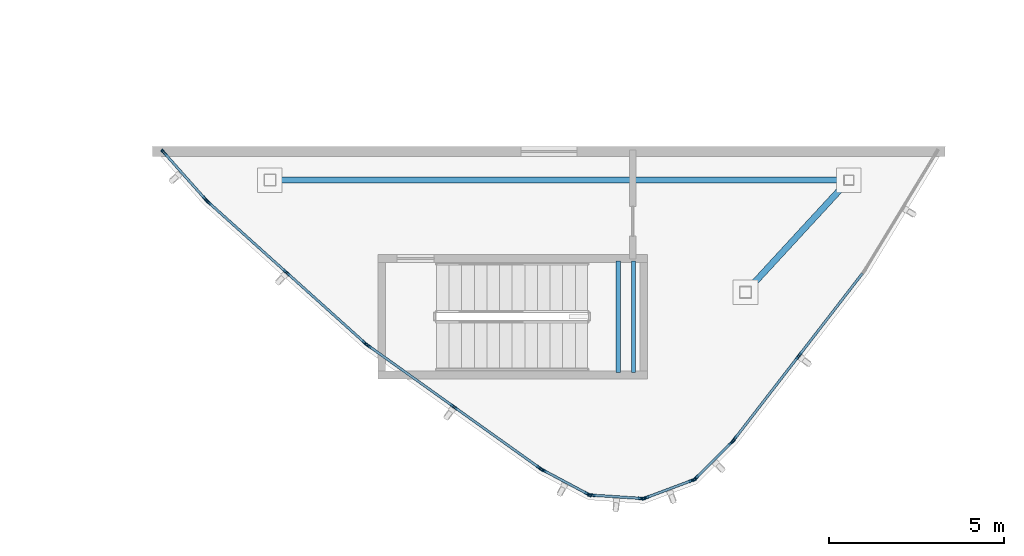
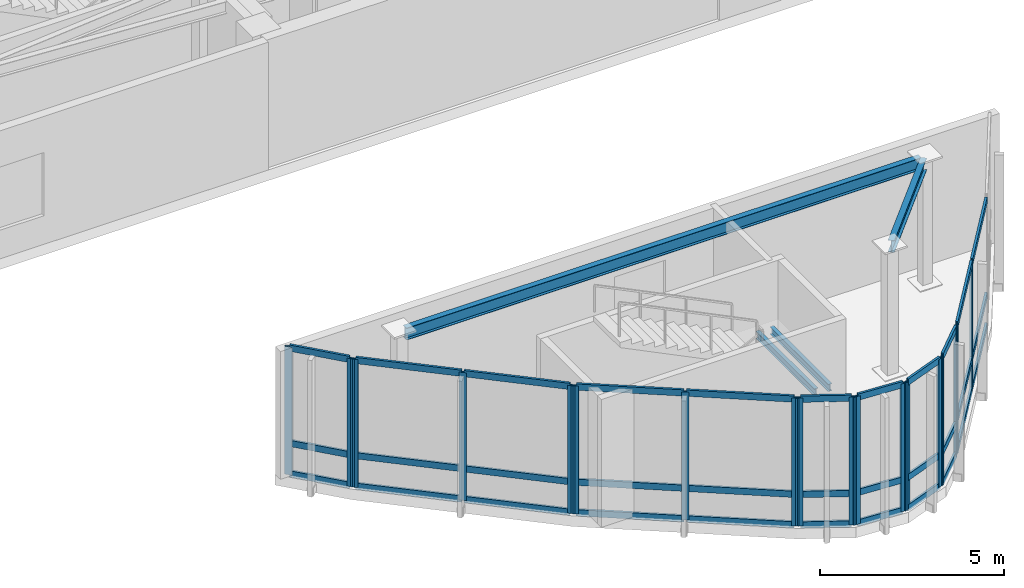
# One storey, part 2 of 16: 51 members, 4 beams, 8 elements without a shape of their own.
"""IFC4 building model written with IfcOpenShell, lengths in metres."""

from ifc_helpers import new_model, si_unit, direction, frame, origin, origin_2d, place, context, subcontext, project, spatial, hollow_rectangle, i_section, extrude, source, transform, mapped, material, layer, layer_set, material_profile, profile_set, type_object, type_shapes, element, aggregate, save


model = new_model("IFC4")

# Units and contexts
model_context = context("Model", 3, precision=1e-05, world=origin(), true_north=direction((0.0, 1.0)))
body_context = subcontext(model_context, "Body", "Model", "MODEL_VIEW")
ifc_project = project(units=[si_unit("LENGTHUNIT", "METRE"), si_unit("AREAUNIT", "SQUARE_METRE"), si_unit("VOLUMEUNIT", "CUBIC_METRE"), si_unit("PLANEANGLEUNIT", "RADIAN"), si_unit("MASSUNIT", "GRAM", prefix="KILO")], contexts=[model_context])

# Site, building, storey
site_placement = place(None, origin())
site = spatial("IfcSite", under=ifc_project, at=site_placement, CompositionType="ELEMENT")
building_placement = place(site_placement, origin())
building = spatial("IfcBuilding", under=site, at=building_placement, Name="Tavelor Broadcast Tower", CompositionType="ELEMENT")
storey_placement = place(building_placement, frame((0.0, 0.0, 336.699951171875)))
storey = spatial("IfcBuildingStorey", under=building, at=storey_placement, Name="L80", CompositionType="ELEMENT", Elevation=336.699951171875)

# Beams
ifc_material_1 = material(Name="Steel S355", Category="steel")
ifc_material_profile_1 = material_profile(ifc_material_1, i_section(OverallWidth=0.179931640625, OverallDepth=0.39990234375, WebThickness=0.008544921875, FlangeThickness=0.013427734375, at=origin_2d()), Name="IPE 400")
ifc_profile_set_1 = profile_set([ifc_material_profile_1], Name="Steel S355")
beam_type_1 = type_object("IfcBeamType", Name="Crown Ring Spandrel Beam IPE400", PredefinedType="SPANDREL", material=ifc_profile_set_1)
beam_1_placement = place(storey_placement, frame((52.887939453125, 27.579345703125, 4.050048828125), z_axis=(0.677758220929, 0.73528483866, 0.0), x_axis=(-0.73528483866, 0.677758220929, 0.0)))
element("IfcBeam", 1, at=beam_1_placement, inside=storey, type_object=beam_type_1, Name="L80 Crown Peak B Ring Spandrel 1", PredefinedType="SPANDREL", context=body_context, shape_type="SweptSolid", body=[
    extrude(i_section(OverallWidth=0.179931640625, OverallDepth=0.39990234375, WebThickness=0.008544921875, FlangeThickness=0.013427734375, at=origin_2d()), origin(), (0.0, 0.0, 1.0), 4.023193359375),
])
beam_2_placement = place(storey_placement, frame((55.5654296875, 30.64990234375, 4.050048828125), z_axis=(-1.0, 0.0, 0.0), x_axis=(0.0, -1.0, 0.0)))
element("IfcBeam", 2, at=beam_2_placement, inside=storey, type_object=beam_type_1, Name="L80 Crown Peak B Ring Spandrel 2", PredefinedType="SPANDREL", context=body_context, shape_type="SweptSolid", body=[
    extrude(i_section(OverallWidth=0.179931640625, OverallDepth=0.39990234375, WebThickness=0.008544921875, FlangeThickness=0.013427734375, at=origin_2d()), origin(), (0.0, 0.0, 1.0), 16.189208984375),
])
ifc_material_profile_2 = material_profile(ifc_material_1, i_section(OverallWidth=0.1201171875, OverallDepth=0.239990234375, WebThickness=0.006103515625, FlangeThickness=0.009765625, at=origin_2d()), Name="IPE 240")
ifc_profile_set_2 = profile_set([ifc_material_profile_2], Name="Steel S355")
beam_type_2 = type_object("IfcBeamType", Name="Stairwell Landing Support Trimmer Beam IPE240", PredefinedType="BEAM", material=ifc_profile_set_2)
for number, where, z_axis, x_axis, name in (
    (3, (49.135009765625, 25.159912109375, 1.985107421875), (0.0, 1.0, 0.0), (-1.0, 0.0, 0.0), "L80 Stair Landing Support Beam 493"),
    (4, (49.574951171875, 25.159912109375, 1.985107421875), (0.0, 1.0, 0.0), (-1.0, 0.0, 0.0), "L80 Stair Landing Support Beam 494"),
):
    element("IfcBeam", number, at=place(storey_placement, frame(where, z_axis=z_axis, x_axis=x_axis)), inside=storey, type_object=beam_type_2, Name=name, PredefinedType="BEAM", context=body_context, shape_type="SweptSolid", body=[
        extrude(i_section(OverallWidth=0.1201171875, OverallDepth=0.239990234375, WebThickness=0.006103515625, FlangeThickness=0.009765625, at=origin_2d()), origin(), (0.0, 0.0, 1.0), 3.18017578125),
    ])

# Curtain wall, members
ifc_material_2 = material(Name="Architectural Anodized Aluminium", Category="aluminium")
ifc_layer = layer(ifc_material_2, 0.2099609375)
ifc_layer_set = layer_set([ifc_layer], Name="Architectural Anodized Aluminium")
curtain_wall_type = type_object("IfcCurtainWallType", Name="Split-Crown Beacon Curtain Wall CW06", PredefinedType="NOTDEFINED", material=ifc_layer_set)
curtain_wall_1_placement = place(storey_placement, origin())
curtain_wall_1 = element("IfcCurtainWall", 5, at=curtain_wall_1_placement, inside=storey, type_object=curtain_wall_type, Name="L80 Curtain Wall CW06 Run 920", PredefinedType="NOTDEFINED")
ifc_material_profile_3 = material_profile(ifc_material_2, hollow_rectangle(XDim=0.072021484375, YDim=0.2099609375, WallThickness=0.02197265625, at=origin_2d()), Name="RHS 72x210x22")
ifc_profile_set_3 = profile_set([ifc_material_profile_3], Name="Architectural Anodized Aluminium")
member_type_1 = type_object("IfcMemberType", Name="CW06 Extruded Aluminium Mullion 72x210", PredefinedType="MULLION", material=ifc_profile_set_3)
shared_shape_1 = source(origin(), body_context, "Body", "SweptSolid", [
    extrude(hollow_rectangle(XDim=0.072021484375, YDim=0.2099609375, WallThickness=0.02197265625, at=origin_2d()), origin(), (0.0, 0.0, 1.0), 4.25),
])
type_shapes(member_type_1, [shared_shape_1])
member_1_placement = place(storey_placement, frame((36.17529296875, 31.43310546875, 0.0), z_axis=(0.0, 0.0, 1.0), x_axis=(0.747601753548, 0.664147286445, 0.0)))
member_1 = element("IfcMember", 6, at=member_1_placement, type_object=member_type_1, Name="CW06 mullion 1", PredefinedType="MULLION", context=body_context, shape_type="MappedRepresentation", body=[
    mapped(shared_shape_1, transform((0.0, 0.0, 0.0), scale=1.0)),
])
member_2_placement = place(storey_placement, frame((37.364990234375, 30.093994140625, 0.0), z_axis=(0.0, 0.0, 1.0), x_axis=(0.747601753548, 0.664147286445, 0.0)))
member_2 = element("IfcMember", 7, at=member_2_placement, type_object=member_type_1, Name="CW06 mullion 2", PredefinedType="MULLION", context=body_context, shape_type="MappedRepresentation", body=[
    mapped(shared_shape_1, transform((0.0, 0.0, 0.0), scale=1.0)),
])

curtain_wall_2_placement = place(storey_placement, origin())
curtain_wall_2 = element("IfcCurtainWall", 8, at=curtain_wall_2_placement, inside=storey, type_object=curtain_wall_type, Name="L80 Curtain Wall CW06 Run 921", PredefinedType="NOTDEFINED")
member_3_placement = place(storey_placement, frame((37.436767578125, 30.021728515625, 0.0), z_axis=(0.0, 0.0, 1.0), x_axis=(0.668500891766, 0.743711340311, 0.0)))
member_3 = element("IfcMember", 9, at=member_3_placement, type_object=member_type_1, Name="CW06 mullion 1", PredefinedType="MULLION", context=body_context, shape_type="MappedRepresentation", body=[
    mapped(shared_shape_1, transform((0.0, 0.0, 0.0), scale=1.0)),
])
member_4_placement = place(storey_placement, frame((39.67822265625, 28.006591796875, 0.0), z_axis=(0.0, 0.0, 1.0), x_axis=(0.668500891766, 0.743711340311, 0.0)))
member_4 = element("IfcMember", 10, at=member_4_placement, type_object=member_type_1, Name="CW06 mullion 2", PredefinedType="MULLION", context=body_context, shape_type="MappedRepresentation", body=[
    mapped(shared_shape_1, transform((0.0, 0.0, 0.0), scale=1.0)),
])
member_5_placement = place(storey_placement, frame((41.919921875, 25.99169921875, 0.0), z_axis=(0.0, 0.0, 1.0), x_axis=(0.668500891766, 0.743711340311, 0.0)))
member_5 = element("IfcMember", 11, at=member_5_placement, type_object=member_type_1, Name="CW06 mullion 3", PredefinedType="MULLION", context=body_context, shape_type="MappedRepresentation", body=[
    mapped(shared_shape_1, transform((0.0, 0.0, 0.0), scale=1.0)),
])

curtain_wall_3_placement = place(storey_placement, origin())
curtain_wall_3 = element("IfcCurtainWall", 12, at=curtain_wall_3_placement, inside=storey, type_object=curtain_wall_type, Name="L80 Curtain Wall CW06 Run 922", PredefinedType="NOTDEFINED")
member_6_placement = place(storey_placement, frame((41.999267578125, 25.927978515625, 0.0), z_axis=(0.0, 0.0, 1.0), x_axis=(0.58099001197, 0.813910686741, 0.0)))
member_6 = element("IfcMember", 13, at=member_6_placement, type_object=member_type_1, Name="CW06 mullion 1", PredefinedType="MULLION", context=body_context, shape_type="MappedRepresentation", body=[
    mapped(shared_shape_1, transform((0.0, 0.0, 0.0), scale=1.0)),
])
member_7_placement = place(storey_placement, frame((44.4521484375, 24.17724609375, 0.0), z_axis=(0.0, 0.0, 1.0), x_axis=(0.58099001197, 0.813910686741, 0.0)))
member_7 = element("IfcMember", 14, at=member_7_placement, type_object=member_type_1, Name="CW06 mullion 2", PredefinedType="MULLION", context=body_context, shape_type="MappedRepresentation", body=[
    mapped(shared_shape_1, transform((0.0, 0.0, 0.0), scale=1.0)),
])
member_8_placement = place(storey_placement, frame((46.90478515625, 22.426513671875, 0.0), z_axis=(0.0, 0.0, 1.0), x_axis=(0.58099001197, 0.813910686741, 0.0)))
member_8 = element("IfcMember", 15, at=member_8_placement, type_object=member_type_1, Name="CW06 mullion 3", PredefinedType="MULLION", context=body_context, shape_type="MappedRepresentation", body=[
    mapped(shared_shape_1, transform((0.0, 0.0, 0.0), scale=1.0)),
])

curtain_wall_4_placement = place(storey_placement, origin())
curtain_wall_4 = element("IfcCurtainWall", 16, at=curtain_wall_4_placement, inside=storey, type_object=curtain_wall_type, Name="L80 Curtain Wall CW06 Run 923", PredefinedType="NOTDEFINED")
member_9_placement = place(storey_placement, frame((46.9912109375, 22.372802734375, 0.0), z_axis=(0.0, 0.0, 1.0), x_axis=(0.470208553917, 0.882555333009, 0.0)))
member_9 = element("IfcMember", 17, at=member_9_placement, type_object=member_type_1, Name="CW06 mullion 1", PredefinedType="MULLION", context=body_context, shape_type="MappedRepresentation", body=[
    mapped(shared_shape_1, transform((0.0, 0.0, 0.0), scale=1.0)),
])
member_10_placement = place(storey_placement, frame((48.279052734375, 21.6865234375, 0.0), z_axis=(0.0, 0.0, 1.0), x_axis=(0.470208553917, 0.882555333009, 0.0)))
member_10 = element("IfcMember", 18, at=member_10_placement, type_object=member_type_1, Name="CW06 mullion 2", PredefinedType="MULLION", context=body_context, shape_type="MappedRepresentation", body=[
    mapped(shared_shape_1, transform((0.0, 0.0, 0.0), scale=1.0)),
])

curtain_wall_5_placement = place(storey_placement, origin())
curtain_wall_5 = element("IfcCurtainWall", 19, at=curtain_wall_5_placement, inside=storey, type_object=curtain_wall_type, Name="L80 Curtain Wall CW06 Run 924", PredefinedType="NOTDEFINED")
member_11_placement = place(storey_placement, frame((48.375, 21.6591796875, 0.0), z_axis=(0.0, 0.0, 1.0), x_axis=(0.065354340567, 0.997862119819, 0.0)))
member_11 = element("IfcMember", 20, at=member_11_placement, type_object=member_type_1, Name="CW06 mullion 1", PredefinedType="MULLION", context=body_context, shape_type="MappedRepresentation", body=[
    mapped(shared_shape_1, transform((0.0, 0.0, 0.0), scale=1.0)),
])
member_12_placement = place(storey_placement, frame((49.81005859375, 21.565185546875, 0.0), z_axis=(0.0, 0.0, 1.0), x_axis=(0.065354340567, 0.997862119819, 0.0)))
member_12 = element("IfcMember", 21, at=member_12_placement, type_object=member_type_1, Name="CW06 mullion 2", PredefinedType="MULLION", context=body_context, shape_type="MappedRepresentation", body=[
    mapped(shared_shape_1, transform((0.0, 0.0, 0.0), scale=1.0)),
])

curtain_wall_6_placement = place(storey_placement, origin())
curtain_wall_6 = element("IfcCurtainWall", 22, at=curtain_wall_6_placement, inside=storey, type_object=curtain_wall_type, Name="L80 Curtain Wall CW06 Run 925", PredefinedType="NOTDEFINED")
member_13_placement = place(storey_placement, frame((49.90869140625, 21.579833984375, 0.0), z_axis=(0.0, 0.0, 1.0), x_axis=(-0.351014589883, 0.936369989742, 0.0)))
member_13 = element("IfcMember", 23, at=member_13_placement, type_object=member_type_1, Name="CW06 mullion 1", PredefinedType="MULLION", context=body_context, shape_type="MappedRepresentation", body=[
    mapped(shared_shape_1, transform((0.0, 0.0, 0.0), scale=1.0)),
])
member_14_placement = place(storey_placement, frame((51.25537109375, 22.08447265625, 0.0), z_axis=(0.0, 0.0, 1.0), x_axis=(-0.351014589883, 0.936369989742, 0.0)))
member_14 = element("IfcMember", 24, at=member_14_placement, type_object=member_type_1, Name="CW06 mullion 2", PredefinedType="MULLION", context=body_context, shape_type="MappedRepresentation", body=[
    mapped(shared_shape_1, transform((0.0, 0.0, 0.0), scale=1.0)),
])

curtain_wall_7_placement = place(storey_placement, origin())
curtain_wall_7 = element("IfcCurtainWall", 25, at=curtain_wall_7_placement, inside=storey, type_object=curtain_wall_type, Name="L80 Curtain Wall CW06 Run 926", PredefinedType="NOTDEFINED")
member_15_placement = place(storey_placement, frame((51.33935546875, 22.138427734375, 0.0), z_axis=(0.0, 0.0, 1.0), x_axis=(-0.705308409597, 0.708900590599, 0.0)))
member_15 = element("IfcMember", 26, at=member_15_placement, type_object=member_type_1, Name="CW06 mullion 1", PredefinedType="MULLION", context=body_context, shape_type="MappedRepresentation", body=[
    mapped(shared_shape_1, transform((0.0, 0.0, 0.0), scale=1.0)),
])
member_16_placement = place(storey_placement, frame((52.373779296875, 23.167724609375, 0.0), z_axis=(0.0, 0.0, 1.0), x_axis=(-0.705308409597, 0.708900590599, 0.0)))
member_16 = element("IfcMember", 27, at=member_16_placement, type_object=member_type_1, Name="CW06 mullion 2", PredefinedType="MULLION", context=body_context, shape_type="MappedRepresentation", body=[
    mapped(shared_shape_1, transform((0.0, 0.0, 0.0), scale=1.0)),
])

curtain_wall_8_placement = place(storey_placement, origin())
curtain_wall_8 = element("IfcCurtainWall", 28, at=curtain_wall_8_placement, inside=storey, type_object=curtain_wall_type, Name="L80 Curtain Wall CW06 Run 927", PredefinedType="NOTDEFINED")
member_17_placement = place(storey_placement, frame((52.441162109375, 23.243896484375, 0.0), z_axis=(0.0, 0.0, 1.0), x_axis=(-0.791433902315, 0.611254757254, 0.0)))
member_17 = element("IfcMember", 29, at=member_17_placement, type_object=member_type_1, Name="CW06 mullion 1", PredefinedType="MULLION", context=body_context, shape_type="MappedRepresentation", body=[
    mapped(shared_shape_1, transform((0.0, 0.0, 0.0), scale=1.0)),
])
member_18_placement = place(storey_placement, frame((54.283203125, 25.62890625, 0.0), z_axis=(0.0, 0.0, 1.0), x_axis=(-0.791433902315, 0.611254757254, 0.0)))
member_18 = element("IfcMember", 30, at=member_18_placement, type_object=member_type_1, Name="CW06 mullion 2", PredefinedType="MULLION", context=body_context, shape_type="MappedRepresentation", body=[
    mapped(shared_shape_1, transform((0.0, 0.0, 0.0), scale=1.0)),
])

# Member
ifc_material_profile_4 = material_profile(ifc_material_2, hollow_rectangle(XDim=0.072021484375, YDim=0.2099609375, WallThickness=0.02197265625, at=origin_2d()), Name="RHS 72x210x22")
ifc_profile_set_4 = profile_set([ifc_material_profile_4], Name="Architectural Anodized Aluminium")
member_type_2 = type_object("IfcMemberType", Name="CW06 Extruded Aluminium Transom 72x210", PredefinedType="USERDEFINED", material=ifc_profile_set_4)
shared_shape_2 = source(origin(), body_context, "Body", "SweptSolid", [
    extrude(hollow_rectangle(XDim=0.072021484375, YDim=0.2099609375, WallThickness=0.02197265625, at=origin_2d()), origin(), (0.0, 0.0, 1.0), 2.941650390625),
])
member_19_placement = place(storey_placement, frame((42.028564453125, 25.9072265625, 0.0361328125), z_axis=(0.813929696226, -0.580963380604, 0.0), x_axis=(0.580963380604, 0.813929696226, 0.0)))
member_19 = element("IfcMember", 31, at=member_19_placement, type_object=member_type_2, Name="CW06 transom 1.1", ObjectType="TRANSOM", PredefinedType="USERDEFINED", context=body_context, shape_type="MappedRepresentation", body=[
    mapped(shared_shape_2, transform((0.0, 0.0, 0.0), scale=1.0)),
])

member_20_placement = place(storey_placement, frame((42.028564453125, 25.9072265625, 1.050048828125), z_axis=(0.813929696226, -0.580963380604, 0.0), x_axis=(0.580963380604, 0.813929696226, 0.0)))
member_20 = element("IfcMember", 32, at=member_20_placement, type_object=member_type_2, Name="CW06 transom 1.2", ObjectType="TRANSOM", PredefinedType="USERDEFINED", context=body_context, shape_type="MappedRepresentation", body=[
    mapped(shared_shape_2, transform((0.0, 0.0, 0.0), scale=1.0)),
])

member_21_placement = place(storey_placement, frame((42.028564453125, 25.9072265625, 4.214111328125), z_axis=(0.813929696226, -0.580963380604, 0.0), x_axis=(0.580963380604, 0.813929696226, 0.0)))
member_21 = element("IfcMember", 33, at=member_21_placement, type_object=member_type_2, Name="CW06 transom 1.3", ObjectType="TRANSOM", PredefinedType="USERDEFINED", context=body_context, shape_type="MappedRepresentation", body=[
    mapped(shared_shape_2, transform((0.0, 0.0, 0.0), scale=1.0)),
])

shared_shape_3 = source(origin(), body_context, "Body", "SweptSolid", [
    extrude(hollow_rectangle(XDim=0.072021484375, YDim=0.2099609375, WallThickness=0.02197265625, at=origin_2d()), origin(), (0.0, 0.0, 1.0), 1.38720703125),
])
member_22_placement = place(storey_placement, frame((47.02294921875, 22.35595703125, 0.0361328125), z_axis=(0.882547724052, -0.470222835228, 0.0), x_axis=(0.470222835228, 0.882547724052, 0.0)))
member_22 = element("IfcMember", 34, at=member_22_placement, type_object=member_type_2, Name="CW06 transom 1.1", ObjectType="TRANSOM", PredefinedType="USERDEFINED", context=body_context, shape_type="MappedRepresentation", body=[
    mapped(shared_shape_3, transform((0.0, 0.0, 0.0), scale=1.0)),
])

member_23_placement = place(storey_placement, frame((47.02294921875, 22.35595703125, 1.050048828125), z_axis=(0.882547724052, -0.470222835228, 0.0), x_axis=(0.470222835228, 0.882547724052, 0.0)))
member_23 = element("IfcMember", 35, at=member_23_placement, type_object=member_type_2, Name="CW06 transom 1.2", ObjectType="TRANSOM", PredefinedType="USERDEFINED", context=body_context, shape_type="MappedRepresentation", body=[
    mapped(shared_shape_3, transform((0.0, 0.0, 0.0), scale=1.0)),
])

member_24_placement = place(storey_placement, frame((47.02294921875, 22.35595703125, 4.214111328125), z_axis=(0.882547724052, -0.470222835228, 0.0), x_axis=(0.470222835228, 0.882547724052, 0.0)))
member_24 = element("IfcMember", 36, at=member_24_placement, type_object=member_type_2, Name="CW06 transom 1.3", ObjectType="TRANSOM", PredefinedType="USERDEFINED", context=body_context, shape_type="MappedRepresentation", body=[
    mapped(shared_shape_3, transform((0.0, 0.0, 0.0), scale=1.0)),
])

aggregate(curtain_wall_4, [member_9, member_10, member_22, member_23, member_24])

member_25_placement = place(storey_placement, frame((51.364990234375, 22.163818359375, 0.0361328125), z_axis=(0.708776862922, 0.705432745615, 0.0), x_axis=(-0.705432745615, 0.708776862922, 0.0)))
member_25 = element("IfcMember", 37, at=member_25_placement, type_object=member_type_2, Name="CW06 transom 1.1", ObjectType="TRANSOM", PredefinedType="USERDEFINED", context=body_context, shape_type="MappedRepresentation", body=[
    mapped(shared_shape_3, transform((0.0, 0.0, 0.0), scale=1.0)),
])

member_26_placement = place(storey_placement, frame((51.364990234375, 22.163818359375, 1.050048828125), z_axis=(0.708776862922, 0.705432745615, 0.0), x_axis=(-0.705432745615, 0.708776862922, 0.0)))
member_26 = element("IfcMember", 38, at=member_26_placement, type_object=member_type_2, Name="CW06 transom 1.2", ObjectType="TRANSOM", PredefinedType="USERDEFINED", context=body_context, shape_type="MappedRepresentation", body=[
    mapped(shared_shape_3, transform((0.0, 0.0, 0.0), scale=1.0)),
])

member_27_placement = place(storey_placement, frame((51.364990234375, 22.163818359375, 4.214111328125), z_axis=(0.708776862922, 0.705432745615, 0.0), x_axis=(-0.705432745615, 0.708776862922, 0.0)))
member_27 = element("IfcMember", 39, at=member_27_placement, type_object=member_type_2, Name="CW06 transom 1.3", ObjectType="TRANSOM", PredefinedType="USERDEFINED", context=body_context, shape_type="MappedRepresentation", body=[
    mapped(shared_shape_3, transform((0.0, 0.0, 0.0), scale=1.0)),
])

aggregate(curtain_wall_7, [member_15, member_16, member_25, member_26, member_27])

shared_shape_4 = source(origin(), body_context, "Body", "SweptSolid", [
    extrude(hollow_rectangle(XDim=0.072021484375, YDim=0.2099609375, WallThickness=0.02197265625, at=origin_2d()), origin(), (0.0, 0.0, 1.0), 1.365966796875),
])
member_28_placement = place(storey_placement, frame((49.942626953125, 21.59228515625, 0.0361328125), z_axis=(0.936307141916, 0.351182197722, 0.0), x_axis=(-0.351182197722, 0.936307141916, 0.0)))
member_28 = element("IfcMember", 40, at=member_28_placement, type_object=member_type_2, Name="CW06 transom 1.1", ObjectType="TRANSOM", PredefinedType="USERDEFINED", context=body_context, shape_type="MappedRepresentation", body=[
    mapped(shared_shape_4, transform((0.0, 0.0, 0.0), scale=1.0)),
])

member_29_placement = place(storey_placement, frame((49.942626953125, 21.59228515625, 1.050048828125), z_axis=(0.936307141916, 0.351182197722, 0.0), x_axis=(-0.351182197722, 0.936307141916, 0.0)))
member_29 = element("IfcMember", 41, at=member_29_placement, type_object=member_type_2, Name="CW06 transom 1.2", ObjectType="TRANSOM", PredefinedType="USERDEFINED", context=body_context, shape_type="MappedRepresentation", body=[
    mapped(shared_shape_4, transform((0.0, 0.0, 0.0), scale=1.0)),
])

member_30_placement = place(storey_placement, frame((49.942626953125, 21.59228515625, 4.214111328125), z_axis=(0.936307141916, 0.351182197722, 0.0), x_axis=(-0.351182197722, 0.936307141916, 0.0)))
member_30 = element("IfcMember", 42, at=member_30_placement, type_object=member_type_2, Name="CW06 transom 1.3", ObjectType="TRANSOM", PredefinedType="USERDEFINED", context=body_context, shape_type="MappedRepresentation", body=[
    mapped(shared_shape_4, transform((0.0, 0.0, 0.0), scale=1.0)),
])

aggregate(curtain_wall_6, [member_13, member_14, member_28, member_29, member_30])

shared_shape_5 = source(origin(), body_context, "Body", "SweptSolid", [
    extrude(hollow_rectangle(XDim=0.072021484375, YDim=0.2099609375, WallThickness=0.02197265625, at=origin_2d()), origin(), (0.0, 0.0, 1.0), 1.3662109375),
])
member_31_placement = place(storey_placement, frame((48.410888671875, 21.656982421875, 0.0361328125), z_axis=(0.997858861384, -0.065404072935, 0.0), x_axis=(0.065404072935, 0.997858861384, 0.0)))
member_31 = element("IfcMember", 43, at=member_31_placement, type_object=member_type_2, Name="CW06 transom 1.1", ObjectType="TRANSOM", PredefinedType="USERDEFINED", context=body_context, shape_type="MappedRepresentation", body=[
    mapped(shared_shape_5, transform((0.0, 0.0, 0.0), scale=1.0)),
])

member_32_placement = place(storey_placement, frame((48.410888671875, 21.656982421875, 1.050048828125), z_axis=(0.997858861384, -0.065404072935, 0.0), x_axis=(0.065404072935, 0.997858861384, 0.0)))
member_32 = element("IfcMember", 44, at=member_32_placement, type_object=member_type_2, Name="CW06 transom 1.2", ObjectType="TRANSOM", PredefinedType="USERDEFINED", context=body_context, shape_type="MappedRepresentation", body=[
    mapped(shared_shape_5, transform((0.0, 0.0, 0.0), scale=1.0)),
])

member_33_placement = place(storey_placement, frame((48.410888671875, 21.656982421875, 4.214111328125), z_axis=(0.997858861384, -0.065404072935, 0.0), x_axis=(0.065404072935, 0.997858861384, 0.0)))
member_33 = element("IfcMember", 45, at=member_33_placement, type_object=member_type_2, Name="CW06 transom 1.3", ObjectType="TRANSOM", PredefinedType="USERDEFINED", context=body_context, shape_type="MappedRepresentation", body=[
    mapped(shared_shape_5, transform((0.0, 0.0, 0.0), scale=1.0)),
])

aggregate(curtain_wall_5, [member_11, member_12, member_31, member_32, member_33])

shared_shape_6 = source(origin(), body_context, "Body", "SweptSolid", [
    extrude(hollow_rectangle(XDim=0.072021484375, YDim=0.2099609375, WallThickness=0.02197265625, at=origin_2d()), origin(), (0.0, 0.0, 1.0), 2.94140625),
])
member_34_placement = place(storey_placement, frame((44.4814453125, 24.15625, 0.0361328125), z_axis=(0.813901681121, -0.581002627763, 0.0), x_axis=(0.581002627763, 0.813901681121, 0.0)))
member_34 = element("IfcMember", 46, at=member_34_placement, type_object=member_type_2, Name="CW06 transom 2.1", ObjectType="TRANSOM", PredefinedType="USERDEFINED", context=body_context, shape_type="MappedRepresentation", body=[
    mapped(shared_shape_6, transform((0.0, 0.0, 0.0), scale=1.0)),
])

member_35_placement = place(storey_placement, frame((44.4814453125, 24.15625, 1.050048828125), z_axis=(0.813901681121, -0.581002627763, 0.0), x_axis=(0.581002627763, 0.813901681121, 0.0)))
member_35 = element("IfcMember", 47, at=member_35_placement, type_object=member_type_2, Name="CW06 transom 2.2", ObjectType="TRANSOM", PredefinedType="USERDEFINED", context=body_context, shape_type="MappedRepresentation", body=[
    mapped(shared_shape_6, transform((0.0, 0.0, 0.0), scale=1.0)),
])

member_36_placement = place(storey_placement, frame((44.4814453125, 24.15625, 4.214111328125), z_axis=(0.813901681121, -0.581002627763, 0.0), x_axis=(0.581002627763, 0.813901681121, 0.0)))
member_36 = element("IfcMember", 48, at=member_36_placement, type_object=member_type_2, Name="CW06 transom 2.3", ObjectType="TRANSOM", PredefinedType="USERDEFINED", context=body_context, shape_type="MappedRepresentation", body=[
    mapped(shared_shape_6, transform((0.0, 0.0, 0.0), scale=1.0)),
])

aggregate(curtain_wall_3, [member_6, member_7, member_8, member_19, member_20, member_21, member_34, member_35, member_36])

member_37_placement = place(storey_placement, frame((52.463134765625, 23.2724609375, 0.0361328125), z_axis=(0.611293945198, 0.791403634414, 0.0), x_axis=(-0.791403634414, 0.611293945198, 0.0)))
member_37 = element("IfcMember", 49, at=member_37_placement, type_object=member_type_2, Name="CW06 transom 1.1", ObjectType="TRANSOM", PredefinedType="USERDEFINED", context=body_context, shape_type="MappedRepresentation", body=[
    mapped(shared_shape_6, transform((0.0, 0.0, 0.0), scale=1.0)),
])

member_38_placement = place(storey_placement, frame((52.463134765625, 23.2724609375, 1.050048828125), z_axis=(0.611293945198, 0.791403634414, 0.0), x_axis=(-0.791403634414, 0.611293945198, 0.0)))
member_38 = element("IfcMember", 50, at=member_38_placement, type_object=member_type_2, Name="CW06 transom 1.2", ObjectType="TRANSOM", PredefinedType="USERDEFINED", context=body_context, shape_type="MappedRepresentation", body=[
    mapped(shared_shape_6, transform((0.0, 0.0, 0.0), scale=1.0)),
])

member_39_placement = place(storey_placement, frame((52.463134765625, 23.2724609375, 4.214111328125), z_axis=(0.611293945198, 0.791403634414, 0.0), x_axis=(-0.791403634414, 0.611293945198, 0.0)))
member_39 = element("IfcMember", 51, at=member_39_placement, type_object=member_type_2, Name="CW06 transom 1.3", ObjectType="TRANSOM", PredefinedType="USERDEFINED", context=body_context, shape_type="MappedRepresentation", body=[
    mapped(shared_shape_6, transform((0.0, 0.0, 0.0), scale=1.0)),
])

member_40_placement = place(storey_placement, frame((54.30517578125, 25.657470703125, 0.0361328125), z_axis=(0.611293945198, 0.791403634414, 0.0), x_axis=(-0.791403634414, 0.611293945198, 0.0)))
member_40 = element("IfcMember", 52, at=member_40_placement, type_object=member_type_2, Name="CW06 transom 2.1", ObjectType="TRANSOM", PredefinedType="USERDEFINED", context=body_context, shape_type="MappedRepresentation", body=[
    mapped(shared_shape_6, transform((0.0, 0.0, 0.0), scale=1.0)),
])

member_41_placement = place(storey_placement, frame((54.30517578125, 25.657470703125, 1.050048828125), z_axis=(0.611293945198, 0.791403634414, 0.0), x_axis=(-0.791403634414, 0.611293945198, 0.0)))
member_41 = element("IfcMember", 53, at=member_41_placement, type_object=member_type_2, Name="CW06 transom 2.2", ObjectType="TRANSOM", PredefinedType="USERDEFINED", context=body_context, shape_type="MappedRepresentation", body=[
    mapped(shared_shape_6, transform((0.0, 0.0, 0.0), scale=1.0)),
])

member_42_placement = place(storey_placement, frame((54.30517578125, 25.657470703125, 4.214111328125), z_axis=(0.611293945198, 0.791403634414, 0.0), x_axis=(-0.791403634414, 0.611293945198, 0.0)))
member_42 = element("IfcMember", 54, at=member_42_placement, type_object=member_type_2, Name="CW06 transom 2.3", ObjectType="TRANSOM", PredefinedType="USERDEFINED", context=body_context, shape_type="MappedRepresentation", body=[
    mapped(shared_shape_6, transform((0.0, 0.0, 0.0), scale=1.0)),
])

aggregate(curtain_wall_8, [member_17, member_18, member_37, member_38, member_39, member_40, member_41, member_42])

shared_shape_7 = source(origin(), body_context, "Body", "SweptSolid", [
    extrude(hollow_rectangle(XDim=0.072021484375, YDim=0.2099609375, WallThickness=0.02197265625, at=origin_2d()), origin(), (0.0, 0.0, 1.0), 2.942138671875),
])
member_43_placement = place(storey_placement, frame((37.46337890625, 29.99755859375, 0.0361328125), z_axis=(0.743735466187, -0.668474050608, 0.0), x_axis=(0.668474050608, 0.743735466187, 0.0)))
member_43 = element("IfcMember", 55, at=member_43_placement, type_object=member_type_2, Name="CW06 transom 1.1", ObjectType="TRANSOM", PredefinedType="USERDEFINED", context=body_context, shape_type="MappedRepresentation", body=[
    mapped(shared_shape_7, transform((0.0, 0.0, 0.0), scale=1.0)),
])

member_44_placement = place(storey_placement, frame((37.46337890625, 29.99755859375, 1.050048828125), z_axis=(0.743735466187, -0.668474050608, 0.0), x_axis=(0.668474050608, 0.743735466187, 0.0)))
member_44 = element("IfcMember", 56, at=member_44_placement, type_object=member_type_2, Name="CW06 transom 1.2", ObjectType="TRANSOM", PredefinedType="USERDEFINED", context=body_context, shape_type="MappedRepresentation", body=[
    mapped(shared_shape_7, transform((0.0, 0.0, 0.0), scale=1.0)),
])

member_45_placement = place(storey_placement, frame((37.46337890625, 29.99755859375, 4.214111328125), z_axis=(0.743735466187, -0.668474050608, 0.0), x_axis=(0.668474050608, 0.743735466187, 0.0)))
member_45 = element("IfcMember", 57, at=member_45_placement, type_object=member_type_2, Name="CW06 transom 1.3", ObjectType="TRANSOM", PredefinedType="USERDEFINED", context=body_context, shape_type="MappedRepresentation", body=[
    mapped(shared_shape_7, transform((0.0, 0.0, 0.0), scale=1.0)),
])

member_46_placement = place(storey_placement, frame((39.705078125, 27.982666015625, 0.0361328125), z_axis=(0.743698383225, -0.668515306323, 0.0), x_axis=(0.668515306323, 0.743698383225, 0.0)))
member_46 = element("IfcMember", 58, at=member_46_placement, type_object=member_type_2, Name="CW06 transom 2.1", ObjectType="TRANSOM", PredefinedType="USERDEFINED", context=body_context, shape_type="MappedRepresentation", body=[
    mapped(shared_shape_7, transform((0.0, 0.0, 0.0), scale=1.0)),
])

member_47_placement = place(storey_placement, frame((39.705078125, 27.982666015625, 1.050048828125), z_axis=(0.743698383225, -0.668515306323, 0.0), x_axis=(0.668515306323, 0.743698383225, 0.0)))
member_47 = element("IfcMember", 59, at=member_47_placement, type_object=member_type_2, Name="CW06 transom 2.2", ObjectType="TRANSOM", PredefinedType="USERDEFINED", context=body_context, shape_type="MappedRepresentation", body=[
    mapped(shared_shape_7, transform((0.0, 0.0, 0.0), scale=1.0)),
])

member_48_placement = place(storey_placement, frame((39.705078125, 27.982666015625, 4.214111328125), z_axis=(0.743698383225, -0.668515306323, 0.0), x_axis=(0.668515306323, 0.743698383225, 0.0)))
member_48 = element("IfcMember", 60, at=member_48_placement, type_object=member_type_2, Name="CW06 transom 2.3", ObjectType="TRANSOM", PredefinedType="USERDEFINED", context=body_context, shape_type="MappedRepresentation", body=[
    mapped(shared_shape_7, transform((0.0, 0.0, 0.0), scale=1.0)),
])

aggregate(curtain_wall_2, [member_3, member_4, member_5, member_43, member_44, member_45, member_46, member_47, member_48])

shared_shape_8 = source(origin(), body_context, "Body", "SweptSolid", [
    extrude(hollow_rectangle(XDim=0.072021484375, YDim=0.2099609375, WallThickness=0.02197265625, at=origin_2d()), origin(), (0.0, 0.0, 1.0), 1.71923828125),
])
type_shapes(member_type_2, [shared_shape_2, shared_shape_3, shared_shape_4, shared_shape_5, shared_shape_6, shared_shape_7, shared_shape_8])
member_49_placement = place(storey_placement, frame((36.19921875, 31.40625, 0.0361328125), z_axis=(0.664125835667, -0.747620809234, 0.0), x_axis=(0.747620809234, 0.664125835667, 0.0)))
member_49 = element("IfcMember", 61, at=member_49_placement, type_object=member_type_2, Name="CW06 transom 1.1", ObjectType="TRANSOM", PredefinedType="USERDEFINED", context=body_context, shape_type="MappedRepresentation", body=[
    mapped(shared_shape_8, transform((0.0, 0.0, 0.0), scale=1.0)),
])

member_50_placement = place(storey_placement, frame((36.19921875, 31.40625, 1.050048828125), z_axis=(0.664125835667, -0.747620809234, 0.0), x_axis=(0.747620809234, 0.664125835667, 0.0)))
member_50 = element("IfcMember", 62, at=member_50_placement, type_object=member_type_2, Name="CW06 transom 1.2", ObjectType="TRANSOM", PredefinedType="USERDEFINED", context=body_context, shape_type="MappedRepresentation", body=[
    mapped(shared_shape_8, transform((0.0, 0.0, 0.0), scale=1.0)),
])

member_51_placement = place(storey_placement, frame((36.19921875, 31.40625, 4.214111328125), z_axis=(0.664125835667, -0.747620809234, 0.0), x_axis=(0.747620809234, 0.664125835667, 0.0)))
member_51 = element("IfcMember", 63, at=member_51_placement, type_object=member_type_2, Name="CW06 transom 1.3", ObjectType="TRANSOM", PredefinedType="USERDEFINED", context=body_context, shape_type="MappedRepresentation", body=[
    mapped(shared_shape_8, transform((0.0, 0.0, 0.0), scale=1.0)),
])

aggregate(curtain_wall_1, [member_1, member_2, member_49, member_50, member_51])

save(model, "model.ifc")
